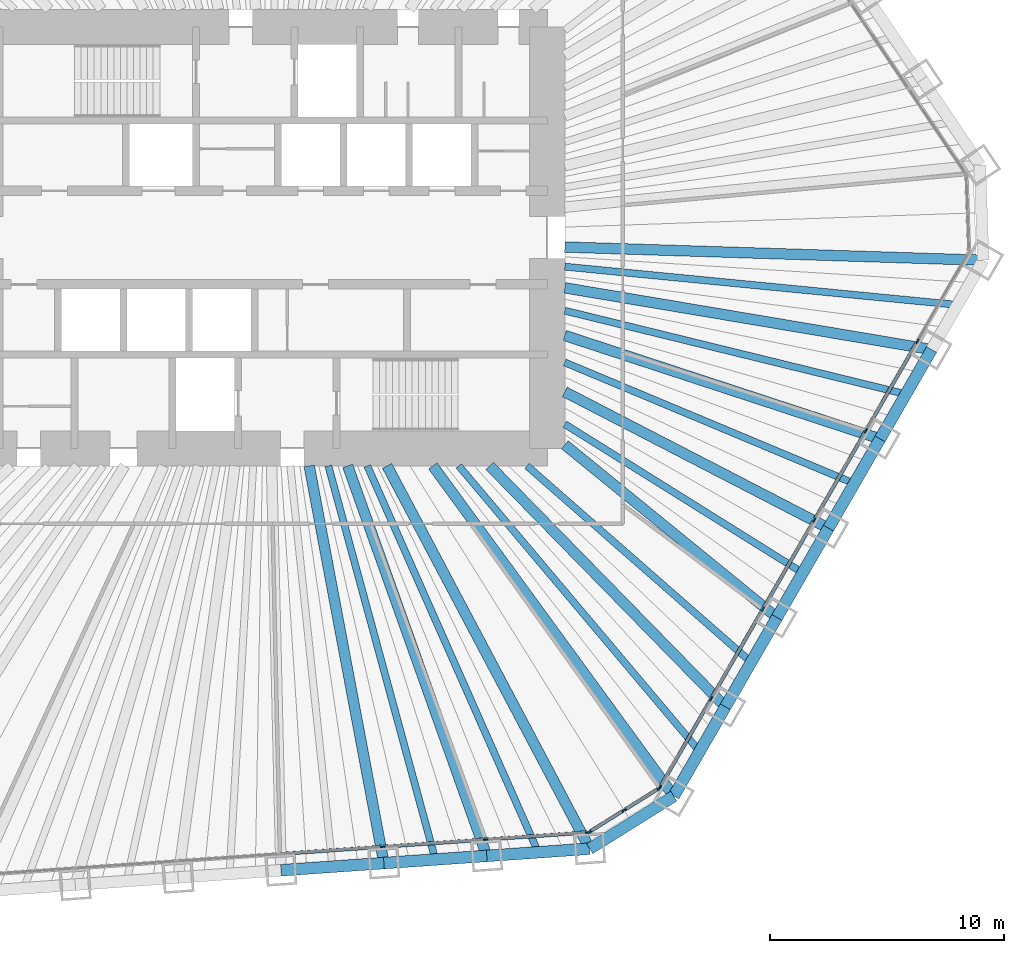
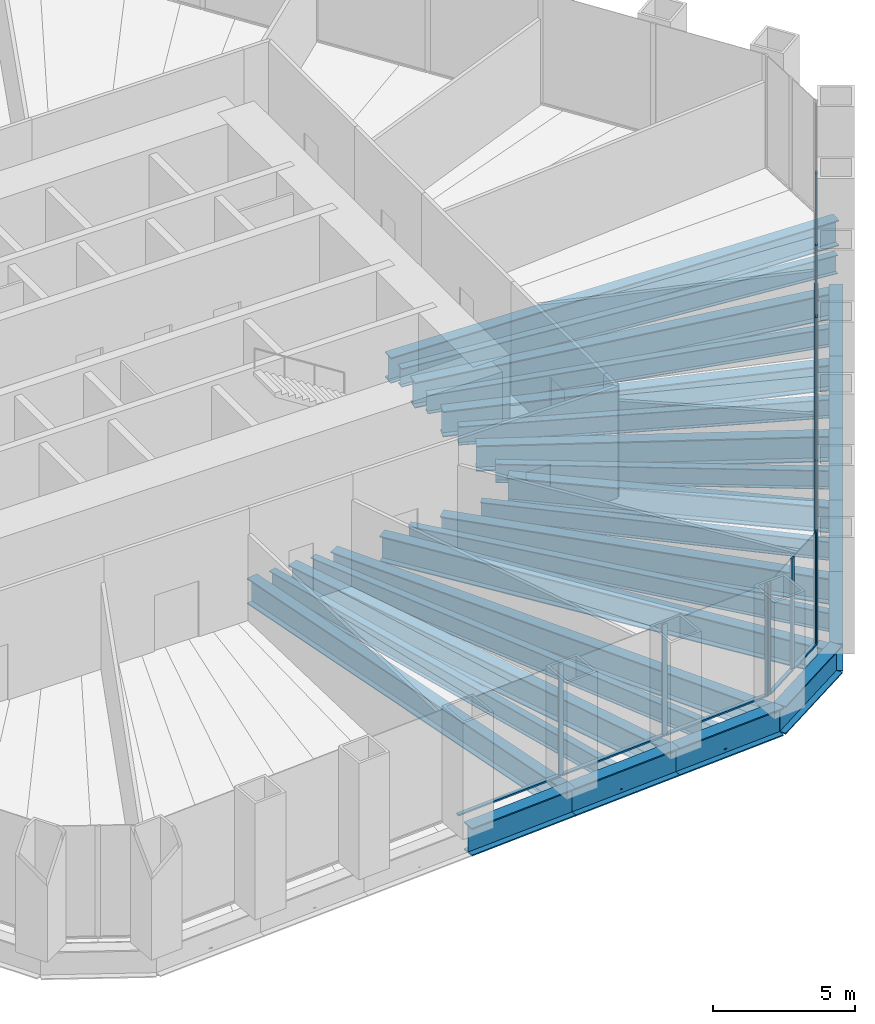
# One storey, part 4 of 13: 27 beams, 22 members, 3 elements without a shape of their own.
"""IFC4 building model written with IfcOpenShell, lengths in metres."""

from ifc_helpers import new_model, si_unit, direction, frame, origin, origin_2d, place, context, subcontext, project, spatial, rectangle, i_section, extrude, material, material_profile, profile_set, type_object, element, aggregate, save


model = new_model("IFC4")

# Units and contexts
model_context = context("Model", 3, precision=1e-05, world=origin(), true_north=direction((0.0, 1.0)))
body_context = subcontext(model_context, "Body", "Model", "MODEL_VIEW")
ifc_project = project(units=[si_unit("LENGTHUNIT", "METRE"), si_unit("AREAUNIT", "SQUARE_METRE"), si_unit("VOLUMEUNIT", "CUBIC_METRE"), si_unit("PLANEANGLEUNIT", "RADIAN"), si_unit("MASSUNIT", "GRAM", prefix="KILO")], contexts=[model_context])

# Site, building, storey
site_placement = place(None, origin())
site = spatial("IfcSite", under=ifc_project, at=site_placement, CompositionType="ELEMENT")
building_placement = place(site_placement, origin())
building = spatial("IfcBuilding", under=site, at=building_placement, Name="Qingtian Harvest Tower", CompositionType="ELEMENT")
storey_placement = place(building_placement, frame((0.0, 0.0, 67.0)))
storey = spatial("IfcBuildingStorey", under=building, at=storey_placement, Name="L13", CompositionType="ELEMENT", Elevation=67.0)

# Beams
ifc_material_1 = material(Name="Steel SM570MC", Category="steel")
ifc_material_profile_1 = material_profile(ifc_material_1, i_section(OverallWidth=0.449951171875, OverallDepth=1.10009765625, WebThickness=0.02197265625, FlangeThickness=0.044921875, at=origin_2d()), Name="H1100x450x22x45")
ifc_profile_set_1 = profile_set([ifc_material_profile_1], Name="Steel SM570MC")
beam_type_1 = type_object("IfcBeamType", Name="Corner floor beam FB8 H1100x450x22x45", PredefinedType="BEAM", material=ifc_profile_set_1)
beam_1_placement = place(storey_placement, frame((30.618408203125, -0.96728515625, -0.75), z_axis=(-0.999501426546, 0.031573696842, 0.0), x_axis=(-0.031573696842, -0.999501426546, 0.0)))
element("IfcBeam", 1, at=beam_1_placement, inside=storey, type_object=beam_type_1, Name="Floor beam FB8 SE0", PredefinedType="BEAM", context=body_context, shape_type="SweptSolid", body=[
    extrude(i_section(OverallWidth=0.449951171875, OverallDepth=1.10009765625, WebThickness=0.02197265625, FlangeThickness=0.044921875, at=origin_2d()), origin(), (0.0, 0.0, 1.0), 17.87744140625),
])
beam_2_placement = place(storey_placement, frame((17.404541015625, -23.854248046875, -0.75), z_axis=(-0.58941234871, 0.807832336062, 0.0), x_axis=(-0.807832336062, -0.58941234871, 0.0)))
element("IfcBeam", 2, at=beam_2_placement, inside=storey, type_object=beam_type_1, Name="Floor beam FB8 SE6", PredefinedType="BEAM", context=body_context, shape_type="SweptSolid", body=[
    extrude(i_section(OverallWidth=0.449951171875, OverallDepth=1.10009765625, WebThickness=0.02197265625, FlangeThickness=0.044921875, at=origin_2d()), origin(), (0.0, 0.0, 1.0), 17.45947265625),
])
beam_3_placement = place(storey_placement, frame((13.810546875, -26.10009765625, -0.75), z_axis=(-0.467705182679, 0.883884529843, 0.0), x_axis=(-0.883884529843, -0.467705182679, 0.0)))
element("IfcBeam", 3, at=beam_3_placement, inside=storey, type_object=beam_type_1, Name="Floor beam FB8 S0", PredefinedType="BEAM", context=body_context, shape_type="SweptSolid", body=[
    extrude(i_section(OverallWidth=0.449951171875, OverallDepth=1.10009765625, WebThickness=0.02197265625, FlangeThickness=0.044921875, at=origin_2d()), origin(), (0.0, 0.0, 1.0), 18.498046875),
])
ifc_material_2 = material(Name="Steel SM570MC", Category="steel")
ifc_material_profile_2 = material_profile(ifc_material_2, i_section(OverallWidth=0.449951171875, OverallDepth=1.10009765625, WebThickness=0.02197265625, FlangeThickness=0.044921875, at=origin_2d()), Name="H1100x450x22x45")
ifc_profile_set_2 = profile_set([ifc_material_profile_2], Name="Steel SM570MC")
beam_type_2 = type_object("IfcBeamType", Name="Floor beam FB1 H1100x450x22x45", PredefinedType="BEAM", material=ifc_profile_set_2)
beam_4_placement = place(storey_placement, frame((28.416015625, -4.78173828125, -0.75), z_axis=(-0.986135195489, 0.16594389479, 0.0), x_axis=(-0.16594389479, -0.986135195489, 0.0)))
element("IfcBeam", 4, at=beam_4_placement, inside=storey, type_object=beam_type_2, Name="Floor beam FB1 SE1", PredefinedType="BEAM", context=body_context, shape_type="SweptSolid", body=[
    extrude(i_section(OverallWidth=0.449951171875, OverallDepth=1.10009765625, WebThickness=0.02197265625, FlangeThickness=0.044921875, at=origin_2d()), origin(), (0.0, 0.0, 1.0), 15.88623046875),
])
beam_5_placement = place(storey_placement, frame((26.2138671875, -8.596435546875, -0.75), z_axis=(-0.950210724421, 0.311608053803, 0.0), x_axis=(-0.311608053803, -0.950210724421, 0.0)))
element("IfcBeam", 5, at=beam_5_placement, inside=storey, type_object=beam_type_2, Name="Floor beam FB1 SE2", PredefinedType="BEAM", context=body_context, shape_type="SweptSolid", body=[
    extrude(i_section(OverallWidth=0.449951171875, OverallDepth=1.10009765625, WebThickness=0.02197265625, FlangeThickness=0.044921875, at=origin_2d()), origin(), (0.0, 0.0, 1.0), 14.16943359375),
])
beam_6_placement = place(storey_placement, frame((24.011474609375, -12.410888671875, -0.75), z_axis=(-0.888349581519, 0.45916774823, 0.0), x_axis=(-0.45916774823, -0.888349581519, 0.0)))
element("IfcBeam", 6, at=beam_6_placement, inside=storey, type_object=beam_type_2, Name="Floor beam FB1 SE3", PredefinedType="BEAM", context=body_context, shape_type="SweptSolid", body=[
    extrude(i_section(OverallWidth=0.449951171875, OverallDepth=1.10009765625, WebThickness=0.02197265625, FlangeThickness=0.044921875, at=origin_2d()), origin(), (0.0, 0.0, 1.0), 12.6767578125),
])
beam_7_placement = place(storey_placement, frame((21.809326171875, -16.225341796875, -0.75), z_axis=(-0.775504415669, 0.631342142802, 0.0), x_axis=(-0.631342142802, -0.775504415669, 0.0)))
element("IfcBeam", 7, at=beam_7_placement, inside=storey, type_object=beam_type_2, Name="Floor beam FB1 SE4", PredefinedType="BEAM", context=body_context, shape_type="SweptSolid", body=[
    extrude(i_section(OverallWidth=0.449951171875, OverallDepth=1.10009765625, WebThickness=0.02197265625, FlangeThickness=0.044921875, at=origin_2d()), origin(), (0.0, 0.0, 1.0), 11.681884765625),
])
beam_8_placement = place(storey_placement, frame((19.60693359375, -20.039794921875, -0.75), z_axis=(-0.699348221539, 0.714781130858, 0.0), x_axis=(-0.714781130858, -0.699348221539, 0.0)))
element("IfcBeam", 8, at=beam_8_placement, inside=storey, type_object=beam_type_2, Name="Floor beam FB1 SE5", PredefinedType="BEAM", context=body_context, shape_type="SweptSolid", body=[
    extrude(i_section(OverallWidth=0.449951171875, OverallDepth=1.10009765625, WebThickness=0.02197265625, FlangeThickness=0.044921875, at=origin_2d()), origin(), (0.0, 0.0, 1.0), 14.395751953125),
])
beam_9_placement = place(storey_placement, frame((9.41650390625, -26.407470703125, -0.75), z_axis=(-0.33586498155, 0.941910141239, 0.0), x_axis=(-0.941910141239, -0.33586498155, 0.0)))
element("IfcBeam", 9, at=beam_9_placement, inside=storey, type_object=beam_type_2, Name="Floor beam FB1 S1", PredefinedType="BEAM", context=body_context, shape_type="SweptSolid", body=[
    extrude(i_section(OverallWidth=0.449951171875, OverallDepth=1.10009765625, WebThickness=0.02197265625, FlangeThickness=0.044921875, at=origin_2d()), origin(), (0.0, 0.0, 1.0), 17.684814453125),
])
beam_10_placement = place(storey_placement, frame((5.022705078125, -26.714599609375, -0.75), z_axis=(-0.184782942099, 0.98277935688, 0.0), x_axis=(-0.98277935688, -0.184782942099, 0.0)))
element("IfcBeam", 10, at=beam_10_placement, inside=storey, type_object=beam_type_2, Name="Floor beam FB1 S2", PredefinedType="BEAM", context=body_context, shape_type="SweptSolid", body=[
    extrude(i_section(OverallWidth=0.449951171875, OverallDepth=1.10009765625, WebThickness=0.02197265625, FlangeThickness=0.044921875, at=origin_2d()), origin(), (0.0, 0.0, 1.0), 17.261962890625),
])
ifc_material_3 = material(Name="Steel SN490B", Category="steel")
ifc_material_profile_3 = material_profile(ifc_material_3, i_section(OverallWidth=0.300048828125, OverallDepth=0.800048828125, WebThickness=0.013916015625, FlangeThickness=0.02587890625, at=origin_2d()), Name="H800x300x14x26")
ifc_profile_set_3 = profile_set([ifc_material_profile_3], Name="Steel SN490B")
beam_type_3 = type_object("IfcBeamType", Name="Floor joist J1 H800x300x14x26", PredefinedType="JOIST", material=ifc_profile_set_3)
beam_11_placement = place(storey_placement, frame((29.517333984375, -2.87451171875, -0.60009765625), z_axis=(-0.995291970786, 0.096922097011, 0.0), x_axis=(-0.096922097011, -0.995291970786, 0.0)))
element("IfcBeam", 11, at=beam_11_placement, inside=storey, type_object=beam_type_3, Name="Floor joist J1 SE0", PredefinedType="JOIST", context=body_context, shape_type="SweptSolid", body=[
    extrude(i_section(OverallWidth=0.300048828125, OverallDepth=0.800048828125, WebThickness=0.013916015625, FlangeThickness=0.02587890625, at=origin_2d()), origin(), (0.0, 0.0, 1.0), 16.8466796875),
])
beam_12_placement = place(storey_placement, frame((27.31494140625, -6.68896484375, -0.60009765625), z_axis=(-0.971301533706, 0.237851488583, 0.0), x_axis=(-0.237851488583, -0.971301533706, 0.0)))
element("IfcBeam", 12, at=beam_12_placement, inside=storey, type_object=beam_type_3, Name="Floor joist J1 SE1", PredefinedType="JOIST", context=body_context, shape_type="SweptSolid", body=[
    extrude(i_section(OverallWidth=0.300048828125, OverallDepth=0.800048828125, WebThickness=0.013916015625, FlangeThickness=0.02587890625, at=origin_2d()), origin(), (0.0, 0.0, 1.0), 14.995361328125),
])
beam_13_placement = place(storey_placement, frame((25.112548828125, -10.503662109375, -0.60009765625), z_axis=(-0.922550516103, 0.385876334125, 0.0), x_axis=(-0.385876334125, -0.922550516103, 0.0)))
element("IfcBeam", 13, at=beam_13_placement, inside=storey, type_object=beam_type_3, Name="Floor joist J1 SE2", PredefinedType="JOIST", context=body_context, shape_type="SweptSolid", body=[
    extrude(i_section(OverallWidth=0.300048828125, OverallDepth=0.800048828125, WebThickness=0.013916015625, FlangeThickness=0.02587890625, at=origin_2d()), origin(), (0.0, 0.0, 1.0), 13.400390625),
])
beam_14_placement = place(storey_placement, frame((22.910400390625, -14.318115234375, -0.60009765625), z_axis=(-0.848013185461, 0.52997512893, 0.0), x_axis=(-0.52997512893, -0.848013185461, 0.0)))
element("IfcBeam", 14, at=beam_14_placement, inside=storey, type_object=beam_type_3, Name="Floor joist J1 SE3", PredefinedType="JOIST", context=body_context, shape_type="SweptSolid", body=[
    extrude(i_section(OverallWidth=0.300048828125, OverallDepth=0.800048828125, WebThickness=0.013916015625, FlangeThickness=0.02587890625, at=origin_2d()), origin(), (0.0, 0.0, 1.0), 11.9814453125),
])
beam_15_placement = place(storey_placement, frame((20.7080078125, -18.132568359375, -0.60009765625), z_axis=(-0.75234369212, 0.658770801514, 0.0), x_axis=(-0.658770801514, -0.75234369212, 0.0)))
element("IfcBeam", 15, at=beam_15_placement, inside=storey, type_object=beam_type_3, Name="Floor joist J1 SE4", PredefinedType="JOIST", context=body_context, shape_type="SweptSolid", body=[
    extrude(i_section(OverallWidth=0.300048828125, OverallDepth=0.800048828125, WebThickness=0.013916015625, FlangeThickness=0.02587890625, at=origin_2d()), origin(), (0.0, 0.0, 1.0), 12.724609375),
])
beam_16_placement = place(storey_placement, frame((18.505859375, -21.947021484375, -0.60009765625), z_axis=(-0.644630398038, 0.76449437534, 0.0), x_axis=(-0.76449437534, -0.644630398038, 0.0)))
element("IfcBeam", 16, at=beam_16_placement, inside=storey, type_object=beam_type_3, Name="Floor joist J1 SE5", PredefinedType="JOIST", context=body_context, shape_type="SweptSolid", body=[
    extrude(i_section(OverallWidth=0.300048828125, OverallDepth=0.800048828125, WebThickness=0.013916015625, FlangeThickness=0.02587890625, at=origin_2d()), origin(), (0.0, 0.0, 1.0), 15.954345703125),
])
beam_17_placement = place(storey_placement, frame((11.613525390625, -26.25390625, -0.60009765625), z_axis=(-0.404539958959, 0.914520323233, 0.0), x_axis=(-0.914520323233, -0.404539958959, 0.0)))
element("IfcBeam", 17, at=beam_17_placement, inside=storey, type_object=beam_type_3, Name="Floor joist J1 S0", PredefinedType="JOIST", context=body_context, shape_type="SweptSolid", body=[
    extrude(i_section(OverallWidth=0.300048828125, OverallDepth=0.800048828125, WebThickness=0.013916015625, FlangeThickness=0.02587890625, at=origin_2d()), origin(), (0.0, 0.0, 1.0), 18.046630859375),
])
beam_18_placement = place(storey_placement, frame((7.2197265625, -26.56103515625, -0.60009765625), z_axis=(-0.262302659247, 0.964985655309, 0.0), x_axis=(-0.964985655309, -0.262302659247, 0.0)))
element("IfcBeam", 18, at=beam_18_placement, inside=storey, type_object=beam_type_3, Name="Floor joist J1 S1", PredefinedType="JOIST", context=body_context, shape_type="SweptSolid", body=[
    extrude(i_section(OverallWidth=0.300048828125, OverallDepth=0.800048828125, WebThickness=0.013916015625, FlangeThickness=0.02587890625, at=origin_2d()), origin(), (0.0, 0.0, 1.0), 17.421142578125),
])

# Curtain wall, members
ifc_material_4 = material(Name="Bronze-anodised aluminium curtain wall", Category="aluminium")
curtain_wall_type = type_object("IfcCurtainWallType", Name="Curtain wall CW2 farm reception", PredefinedType="USERDEFINED", material=ifc_material_4)
curtain_wall_1_placement = place(storey_placement, origin())
curtain_wall_1 = element("IfcCurtainWall", 19, at=curtain_wall_1_placement, inside=storey, type_object=curtain_wall_type, Name="Curtain wall CW2 L13 SE0-5", ObjectType="RECESSED CURTAIN WALL", PredefinedType="USERDEFINED")
ifc_material_5 = material(Name="Bronze-anodised aluminium mullion", Category="aluminium")
ifc_material_profile_4 = material_profile(ifc_material_5, rectangle(XDim=0.06494140625, YDim=0.199951171875, at=origin_2d()), Name="AL 65x200")
ifc_profile_set_4 = profile_set([ifc_material_profile_4], Name="Bronze-anodised aluminium mullion")
member_type_1 = type_object("IfcMemberType", Name="Mullion CWM 65x200", PredefinedType="MULLION", material=ifc_profile_set_4)
member_1_placement = place(storey_placement, frame((27.809814453125, -4.431884765625, 0.0), z_axis=(0.0, 0.0, 1.0), x_axis=(0.866025403784, -0.5, 0.0)))
member_1 = element("IfcMember", 20, at=member_1_placement, type_object=member_type_1, Name="CW2 mullion 2", PredefinedType="MULLION", context=body_context, shape_type="SweptSolid", body=[
    extrude(rectangle(XDim=0.06494140625, YDim=0.199951171875, at=origin_2d()), origin(), (0.0, 0.0, 1.0), 4.800048828125),
])
member_2_placement = place(storey_placement, frame((25.607666015625, -8.246337890625, 0.0), z_axis=(0.0, 0.0, 1.0), x_axis=(0.866025403784, -0.5, 0.0)))
member_2 = element("IfcMember", 21, at=member_2_placement, type_object=member_type_1, Name="CW2 mullion 3", PredefinedType="MULLION", context=body_context, shape_type="SweptSolid", body=[
    extrude(rectangle(XDim=0.06494140625, YDim=0.199951171875, at=origin_2d()), origin(), (0.0, 0.0, 1.0), 4.800048828125),
])
member_3_placement = place(storey_placement, frame((23.4052734375, -12.060791015625, 0.0), z_axis=(0.0, 0.0, 1.0), x_axis=(0.866025403784, -0.5, 0.0)))
member_3 = element("IfcMember", 22, at=member_3_placement, type_object=member_type_1, Name="CW2 mullion 4", PredefinedType="MULLION", context=body_context, shape_type="SweptSolid", body=[
    extrude(rectangle(XDim=0.06494140625, YDim=0.199951171875, at=origin_2d()), origin(), (0.0, 0.0, 1.0), 4.800048828125),
])
member_4_placement = place(storey_placement, frame((21.202880859375, -15.875244140625, 0.0), z_axis=(0.0, 0.0, 1.0), x_axis=(0.866025403784, -0.5, 0.0)))
member_4 = element("IfcMember", 23, at=member_4_placement, type_object=member_type_1, Name="CW2 mullion 5", PredefinedType="MULLION", context=body_context, shape_type="SweptSolid", body=[
    extrude(rectangle(XDim=0.06494140625, YDim=0.199951171875, at=origin_2d()), origin(), (0.0, 0.0, 1.0), 4.800048828125),
])
member_5_placement = place(storey_placement, frame((19.000732421875, -19.68994140625, 0.0), z_axis=(0.0, 0.0, 1.0), x_axis=(0.866025403784, -0.5, 0.0)))
member_5 = element("IfcMember", 24, at=member_5_placement, type_object=member_type_1, Name="CW2 mullion 6", PredefinedType="MULLION", context=body_context, shape_type="SweptSolid", body=[
    extrude(rectangle(XDim=0.06494140625, YDim=0.199951171875, at=origin_2d()), origin(), (0.0, 0.0, 1.0), 4.800048828125),
])
member_6_placement = place(storey_placement, frame((16.814697265625, -23.47607421875, 0.0), z_axis=(0.0, 0.0, 1.0), x_axis=(0.866025403784, -0.5, 0.0)))
member_6 = element("IfcMember", 25, at=member_6_placement, type_object=member_type_1, Name="CW2 mullion 7", PredefinedType="MULLION", context=body_context, shape_type="SweptSolid", body=[
    extrude(rectangle(XDim=0.06494140625, YDim=0.199951171875, at=origin_2d()), origin(), (0.0, 0.0, 1.0), 4.800048828125),
])

curtain_wall_2_placement = place(storey_placement, origin())
curtain_wall_2 = element("IfcCurtainWall", 26, at=curtain_wall_2_placement, inside=storey, type_object=curtain_wall_type, Name="Curtain wall CW2 L13 SEC", ObjectType="RECESSED CURTAIN WALL", PredefinedType="USERDEFINED")
member_7_placement = place(storey_placement, frame((16.770751953125, -23.521484375, 0.0), z_axis=(0.0, 0.0, 1.0), x_axis=(0.529919264233, -0.848048096156, 0.0)))
member_7 = element("IfcMember", 27, at=member_7_placement, type_object=member_type_1, Name="CW2 mullion 1", PredefinedType="MULLION", context=body_context, shape_type="SweptSolid", body=[
    extrude(rectangle(XDim=0.06494140625, YDim=0.199951171875, at=origin_2d()), origin(), (0.0, 0.0, 1.0), 4.800048828125),
])
member_8_placement = place(storey_placement, frame((15.280029296875, -24.453125, 0.0), z_axis=(0.0, 0.0, 1.0), x_axis=(0.529919264233, -0.848048096156, 0.0)))
member_8 = element("IfcMember", 28, at=member_8_placement, type_object=member_type_1, Name="CW2 mullion 2", PredefinedType="MULLION", context=body_context, shape_type="SweptSolid", body=[
    extrude(rectangle(XDim=0.06494140625, YDim=0.199951171875, at=origin_2d()), origin(), (0.0, 0.0, 1.0), 4.800048828125),
])
member_9_placement = place(storey_placement, frame((13.789306640625, -25.384765625, 0.0), z_axis=(0.0, 0.0, 1.0), x_axis=(0.529919264233, -0.848048096156, 0.0)))
member_9 = element("IfcMember", 29, at=member_9_placement, type_object=member_type_1, Name="CW2 mullion 3", PredefinedType="MULLION", context=body_context, shape_type="SweptSolid", body=[
    extrude(rectangle(XDim=0.06494140625, YDim=0.199951171875, at=origin_2d()), origin(), (0.0, 0.0, 1.0), 4.800048828125),
])

curtain_wall_3_placement = place(storey_placement, origin())
curtain_wall_3 = element("IfcCurtainWall", 30, at=curtain_wall_3_placement, inside=storey, type_object=curtain_wall_type, Name="Curtain wall CW2 L13 S0-5", ObjectType="RECESSED CURTAIN WALL", PredefinedType="USERDEFINED")
member_10_placement = place(storey_placement, frame((13.729248046875, -25.404296875, 0.0), z_axis=(0.0, 0.0, 1.0), x_axis=(0.069756473744, -0.99756405026, 0.0)))
member_10 = element("IfcMember", 31, at=member_10_placement, type_object=member_type_1, Name="CW2 mullion 1", PredefinedType="MULLION", context=body_context, shape_type="SweptSolid", body=[
    extrude(rectangle(XDim=0.06494140625, YDim=0.199951171875, at=origin_2d()), origin(), (0.0, 0.0, 1.0), 4.800048828125),
])
member_11_placement = place(storey_placement, frame((9.36767578125, -25.709228515625, 0.0), z_axis=(0.0, 0.0, 1.0), x_axis=(0.069756473744, -0.99756405026, 0.0)))
member_11 = element("IfcMember", 32, at=member_11_placement, type_object=member_type_1, Name="CW2 mullion 2", PredefinedType="MULLION", context=body_context, shape_type="SweptSolid", body=[
    extrude(rectangle(XDim=0.06494140625, YDim=0.199951171875, at=origin_2d()), origin(), (0.0, 0.0, 1.0), 4.800048828125),
])
member_12_placement = place(storey_placement, frame((4.973876953125, -26.016357421875, 0.0), z_axis=(0.0, 0.0, 1.0), x_axis=(0.069756473744, -0.99756405026, 0.0)))
member_12 = element("IfcMember", 33, at=member_12_placement, type_object=member_type_1, Name="CW2 mullion 3", PredefinedType="MULLION", context=body_context, shape_type="SweptSolid", body=[
    extrude(rectangle(XDim=0.06494140625, YDim=0.199951171875, at=origin_2d()), origin(), (0.0, 0.0, 1.0), 4.800048828125),
])

# Beams
ifc_material_6 = material(Name="Steel SM570MC", Category="steel")
ifc_material_profile_5 = material_profile(ifc_material_6, i_section(OverallWidth=0.5, OverallDepth=1.199951171875, WebThickness=0.02490234375, FlangeThickness=0.050048828125, at=origin_2d()), Name="H1200x500x25x50")
ifc_profile_set_5 = profile_set([ifc_material_profile_5], Name="Steel SM570MC")
beam_type_4 = type_object("IfcBeamType", Name="Spandrel beam SB1 H1200x500x25x50", PredefinedType="SPANDREL", material=ifc_profile_set_5)
beam_19_placement = place(storey_placement, frame((28.416015625, -4.78173828125, -0.60009765625), z_axis=(-0.499954356739, -0.86605175433, 0.0), x_axis=(0.86605175433, -0.499954356739, 0.0)))
element("IfcBeam", 34, at=beam_19_placement, inside=storey, type_object=beam_type_4, Name="Spandrel SB1 SE1", PredefinedType="SPANDREL", context=body_context, shape_type="SweptSolid", body=[
    extrude(i_section(OverallWidth=0.5, OverallDepth=1.199951171875, WebThickness=0.02490234375, FlangeThickness=0.050048828125, at=origin_2d()), origin(), (0.0, 0.0, 1.0), 4.40478515625),
])
for number, where, z_axis, x_axis, name in (
    (35, (26.2138671875, -8.596435546875, -0.60009765625), (-0.50001992892, -0.866013897511, 0.0), (0.866013897511, -0.50001992892, 0.0), "Spandrel SB1 SE2"),
    (36, (24.011474609375, -12.410888671875, -0.60009765625), (-0.499978356969, -0.866037899034, 0.0), (0.866037899034, -0.499978356969, 0.0), "Spandrel SB1 SE3"),
    (37, (21.809326171875, -16.225341796875, -0.60009765625), (-0.50001992892, -0.866013897511, 0.0), (0.866013897511, -0.50001992892, 0.0), "Spandrel SB1 SE4"),
    (38, (19.60693359375, -20.039794921875, -0.60009765625), (-0.50001992892, -0.866013897511, 0.0), (0.866013897511, -0.50001992892, 0.0), "Spandrel SB1 SE5"),
):
    element("IfcBeam", number, at=place(storey_placement, frame(where, z_axis=z_axis, x_axis=x_axis)), inside=storey, type_object=beam_type_4, Name=name, PredefinedType="SPANDREL", context=body_context, shape_type="SweptSolid", body=[
        extrude(i_section(OverallWidth=0.5, OverallDepth=1.199951171875, WebThickness=0.02490234375, FlangeThickness=0.050048828125, at=origin_2d()), origin(), (0.0, 0.0, 1.0), 4.404541015625),
    ])
beam_20_placement = place(storey_placement, frame((17.404541015625, -23.854248046875, -0.60009765625), z_axis=(-0.848040374245, -0.529931621675, 0.0), x_axis=(0.529931621675, -0.848040374245, 0.0)))
element("IfcBeam", 39, at=beam_20_placement, inside=storey, type_object=beam_type_4, Name="Spandrel SB1 SEC", PredefinedType="SPANDREL", context=body_context, shape_type="SweptSolid", body=[
    extrude(i_section(OverallWidth=0.5, OverallDepth=1.199951171875, WebThickness=0.02490234375, FlangeThickness=0.050048828125, at=origin_2d()), origin(), (0.0, 0.0, 1.0), 4.238037109375),
])
beam_21_placement = place(storey_placement, frame((13.810546875, -26.10009765625, -0.60009765625), z_axis=(-0.997562286406, -0.069781693443, 0.0), x_axis=(0.069781693443, -0.997562286406, 0.0)))
element("IfcBeam", 40, at=beam_21_placement, inside=storey, type_object=beam_type_4, Name="Spandrel SB1 S0", PredefinedType="SPANDREL", context=body_context, shape_type="SweptSolid", body=[
    extrude(i_section(OverallWidth=0.5, OverallDepth=1.199951171875, WebThickness=0.02490234375, FlangeThickness=0.050048828125, at=origin_2d()), origin(), (0.0, 0.0, 1.0), 4.40478515625),
])
for number, where, z_axis, x_axis, name in (
    (41, (9.41650390625, -26.407470703125, -0.60009765625), (-0.997565873714, -0.069730392239, 0.0), (0.069730392239, -0.997565873714, 0.0), "Spandrel SB1 S1"),
    (42, (5.022705078125, -26.714599609375, -0.60009765625), (-0.997562016486, -0.069785551967, 0.0), (0.069785551967, -0.997562016486, 0.0), "Spandrel SB1 S2"),
):
    element("IfcBeam", number, at=place(storey_placement, frame(where, z_axis=z_axis, x_axis=x_axis)), inside=storey, type_object=beam_type_4, Name=name, PredefinedType="SPANDREL", context=body_context, shape_type="SweptSolid", body=[
        extrude(i_section(OverallWidth=0.5, OverallDepth=1.199951171875, WebThickness=0.02490234375, FlangeThickness=0.050048828125, at=origin_2d()), origin(), (0.0, 0.0, 1.0), 4.404541015625),
    ])

# Member
ifc_material_7 = material(Name="Bronze-anodised aluminium transom", Category="aluminium")
ifc_material_profile_6 = material_profile(ifc_material_7, rectangle(XDim=0.14990234375, YDim=0.06494140625, at=origin_2d()), Name="AL 65x150")
ifc_profile_set_6 = profile_set([ifc_material_profile_6], Name="Bronze-anodised aluminium transom")
member_type_2 = type_object("IfcMemberType", Name="Transom CWT 65x150", PredefinedType="USERDEFINED", material=ifc_profile_set_6)
member_13_placement = place(storey_placement, frame((27.793701171875, -4.4599609375, 0.032470703125), z_axis=(-0.500011390128, -0.866018827591, 0.0), x_axis=(0.866018827591, -0.500011390128, 0.0)))
member_13 = element("IfcMember", 43, at=member_13_placement, type_object=member_type_2, Name="CW2 transom 2.1", ObjectType="TRANSOM", PredefinedType="USERDEFINED", context=body_context, shape_type="SweptSolid", body=[
    extrude(rectangle(XDim=0.14990234375, YDim=0.06494140625, at=origin_2d()), origin(), (0.0, 0.0, 1.0), 4.33984375),
])

member_14_placement = place(storey_placement, frame((25.59130859375, -8.2744140625, 0.032470703125), z_axis=(-0.499969196308, -0.866043187574, 0.0), x_axis=(0.866043187574, -0.499969196308, 0.0)))
member_14 = element("IfcMember", 44, at=member_14_placement, type_object=member_type_2, Name="CW2 transom 3.1", ObjectType="TRANSOM", PredefinedType="USERDEFINED", context=body_context, shape_type="SweptSolid", body=[
    extrude(rectangle(XDim=0.14990234375, YDim=0.06494140625, at=origin_2d()), origin(), (0.0, 0.0, 1.0), 4.339599609375),
])

member_15_placement = place(storey_placement, frame((23.38916015625, -12.0888671875, 0.032470703125), z_axis=(-0.500011390128, -0.866018827591, 0.0), x_axis=(0.866018827591, -0.500011390128, 0.0)))
member_15 = element("IfcMember", 45, at=member_15_placement, type_object=member_type_2, Name="CW2 transom 4.1", ObjectType="TRANSOM", PredefinedType="USERDEFINED", context=body_context, shape_type="SweptSolid", body=[
    extrude(rectangle(XDim=0.14990234375, YDim=0.06494140625, at=origin_2d()), origin(), (0.0, 0.0, 1.0), 4.33984375),
])

member_16_placement = place(storey_placement, frame((21.186767578125, -15.903564453125, 0.032470703125), z_axis=(-0.500035751442, -0.866004761696, 0.0), x_axis=(0.866004761696, -0.500035751442, 0.0)))
member_16 = element("IfcMember", 46, at=member_16_placement, type_object=member_type_2, Name="CW2 transom 5.1", ObjectType="TRANSOM", PredefinedType="USERDEFINED", context=body_context, shape_type="SweptSolid", body=[
    extrude(rectangle(XDim=0.14990234375, YDim=0.06494140625, at=origin_2d()), origin(), (0.0, 0.0, 1.0), 4.339599609375),
])

member_17_placement = place(storey_placement, frame((18.984375, -19.718017578125, 0.032470703125), z_axis=(-0.500010313095, -0.866019449435, 0.0), x_axis=(0.866019449435, -0.500010313095, 0.0)))
member_17 = element("IfcMember", 47, at=member_17_placement, type_object=member_type_2, Name="CW2 transom 6.1", ObjectType="TRANSOM", PredefinedType="USERDEFINED", context=body_context, shape_type="SweptSolid", body=[
    extrude(rectangle(XDim=0.14990234375, YDim=0.06494140625, at=origin_2d()), origin(), (0.0, 0.0, 1.0), 4.30712890625),
])

aggregate(curtain_wall_1, [member_1, member_2, member_3, member_4, member_5, member_6, member_13, member_14, member_15, member_16, member_17])

member_18_placement = place(storey_placement, frame((16.7431640625, -23.538818359375, 0.032470703125), z_axis=(-0.848063119425, -0.529895221219, 0.0), x_axis=(0.529895221219, -0.848063119425, 0.0)))
member_18 = element("IfcMember", 48, at=member_18_placement, type_object=member_type_2, Name="CW2 transom 1.1", ObjectType="TRANSOM", PredefinedType="USERDEFINED", context=body_context, shape_type="SweptSolid", body=[
    extrude(rectangle(XDim=0.14990234375, YDim=0.06494140625, at=origin_2d()), origin(), (0.0, 0.0, 1.0), 1.692626953125),
])

member_19_placement = place(storey_placement, frame((15.25244140625, -24.470458984375, 0.032470703125), z_axis=(-0.848103609743, -0.529830413568, 0.0), x_axis=(0.529830413568, -0.848103609743, 0.0)))
member_19 = element("IfcMember", 49, at=member_19_placement, type_object=member_type_2, Name="CW2 transom 2.1", ObjectType="TRANSOM", PredefinedType="USERDEFINED", context=body_context, shape_type="SweptSolid", body=[
    extrude(rectangle(XDim=0.14990234375, YDim=0.06494140625, at=origin_2d()), origin(), (0.0, 0.0, 1.0), 1.69287109375),
])

aggregate(curtain_wall_2, [member_7, member_8, member_9, member_18, member_19])

member_20_placement = place(storey_placement, frame((13.69677734375, -25.406494140625, 0.032470703125), z_axis=(-0.997566581753, -0.069720262262, 0.0), x_axis=(0.069720262262, -0.997566581753, 0.0)))
member_20 = element("IfcMember", 50, at=member_20_placement, type_object=member_type_2, Name="CW2 transom 1.1", ObjectType="TRANSOM", PredefinedType="USERDEFINED", context=body_context, shape_type="SweptSolid", body=[
    extrude(rectangle(XDim=0.14990234375, YDim=0.06494140625, at=origin_2d()), origin(), (0.0, 0.0, 1.0), 4.30712890625),
])

member_21_placement = place(storey_placement, frame((9.33544921875, -25.71142578125, 0.032470703125), z_axis=(-0.997563824095, -0.069759707979, 0.0), x_axis=(0.069759707979, -0.997563824095, 0.0)))
member_21 = element("IfcMember", 51, at=member_21_placement, type_object=member_type_2, Name="CW2 transom 2.1", ObjectType="TRANSOM", PredefinedType="USERDEFINED", context=body_context, shape_type="SweptSolid", body=[
    extrude(rectangle(XDim=0.14990234375, YDim=0.06494140625, at=origin_2d()), origin(), (0.0, 0.0, 1.0), 4.339599609375),
])

member_22_placement = place(storey_placement, frame((4.94140625, -26.018798828125, 0.032470703125), z_axis=(-0.997567737508, -0.069703723594, 0.0), x_axis=(0.069703723594, -0.997567737508, 0.0)))
member_22 = element("IfcMember", 52, at=member_22_placement, type_object=member_type_2, Name="CW2 transom 3.1", ObjectType="TRANSOM", PredefinedType="USERDEFINED", context=body_context, shape_type="SweptSolid", body=[
    extrude(rectangle(XDim=0.14990234375, YDim=0.06494140625, at=origin_2d()), origin(), (0.0, 0.0, 1.0), 4.339599609375),
])

aggregate(curtain_wall_3, [member_10, member_11, member_12, member_20, member_21, member_22])

save(model, "model.ifc")
